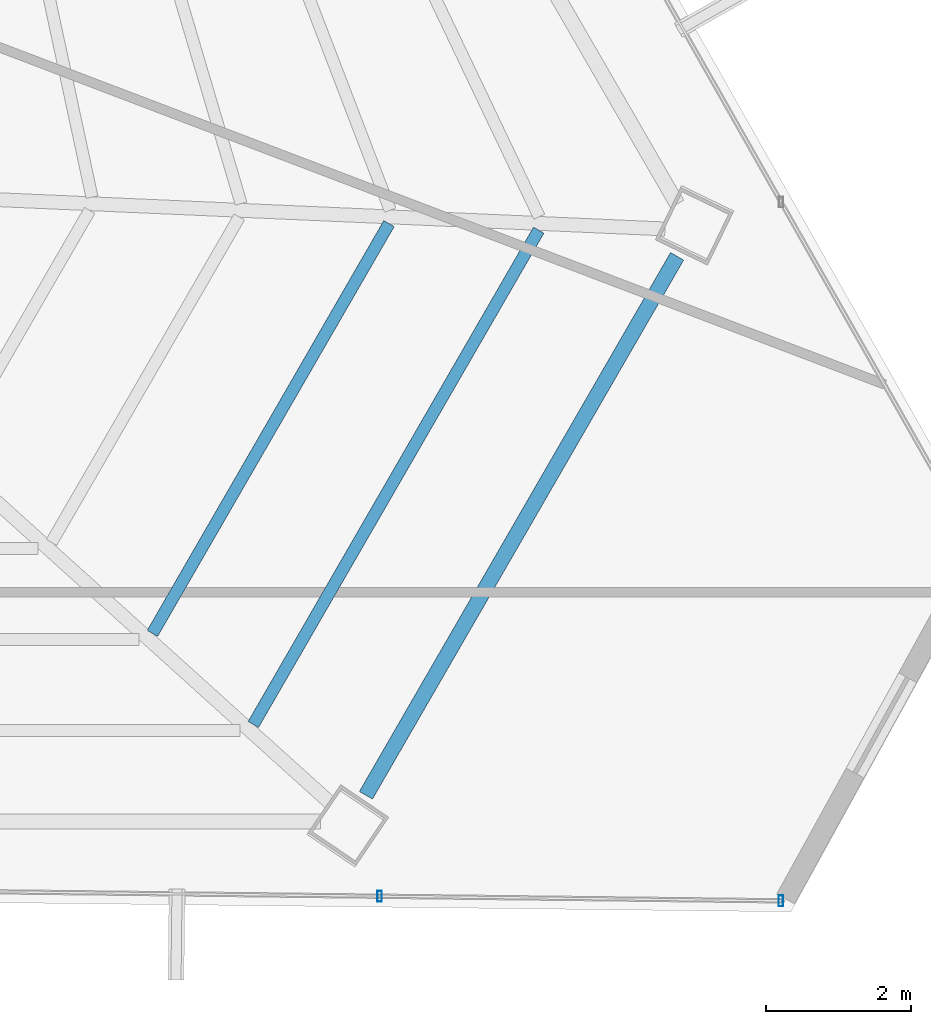
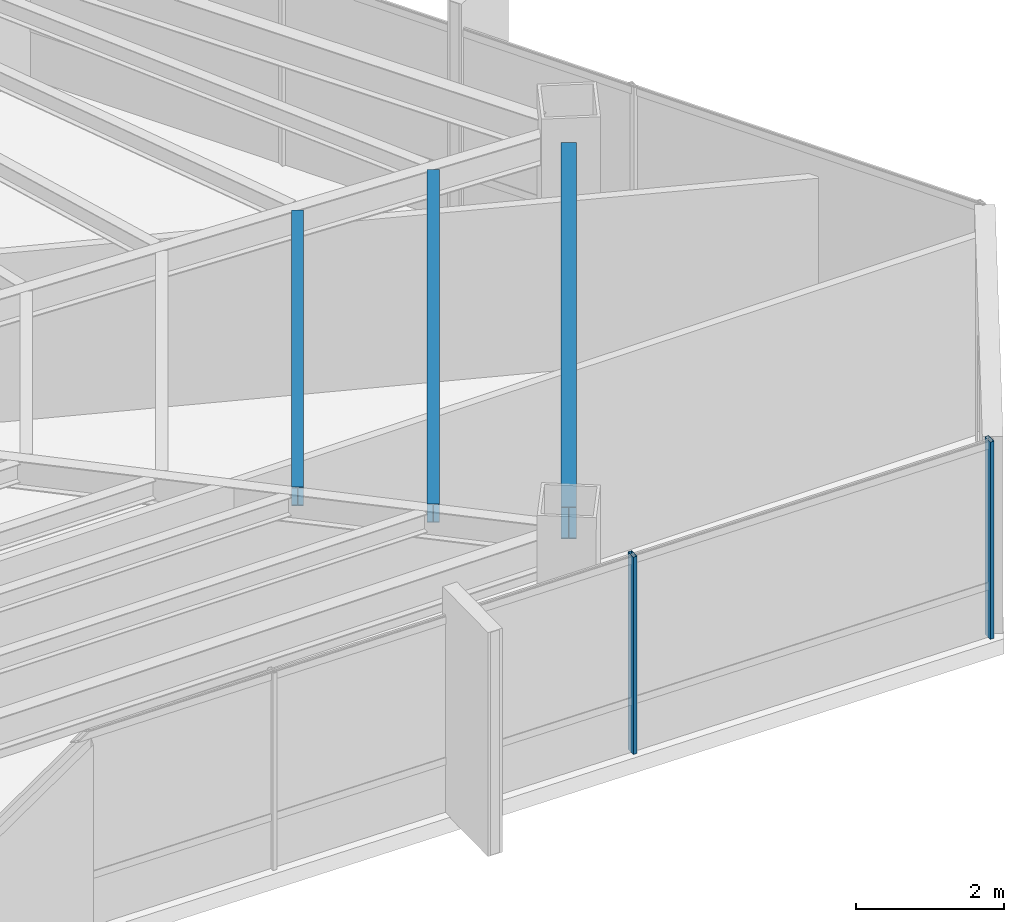
# One storey, part 20 of 40: 3 beams, 2 members, 1 element without a shape of its own.
"""IFC4 building model written with IfcOpenShell, lengths in metres."""

from ifc_helpers import new_model, si_unit, direction, frame, origin, origin_2d, place, context, subcontext, project, spatial, hollow_rectangle, i_section, extrude, source, transform, mapped, material, material_profile, profile_set, type_object, type_shapes, element, aggregate, save


model = new_model("IFC4")

# Units and contexts
model_context = context("Model", 3, precision=1e-05, world=origin(), true_north=direction((0.0, 1.0)))
body_context = subcontext(model_context, "Body", "Model", "MODEL_VIEW")
ifc_project = project(units=[si_unit("LENGTHUNIT", "METRE"), si_unit("AREAUNIT", "SQUARE_METRE"), si_unit("VOLUMEUNIT", "CUBIC_METRE"), si_unit("PLANEANGLEUNIT", "RADIAN"), si_unit("MASSUNIT", "GRAM", prefix="KILO")], contexts=[model_context])

# Site, building, storey
site_placement = place(None, origin())
site = spatial("IfcSite", under=ifc_project, at=site_placement, CompositionType="ELEMENT")
building_placement = place(site_placement, origin())
building = spatial("IfcBuilding", under=site, at=building_placement, Name="Caelisora Broadcast Tower", CompositionType="ELEMENT")
storey_placement = place(building_placement, frame((0.0, 0.0, 216.89990234375)))
storey = spatial("IfcBuildingStorey", under=building, at=storey_placement, Name="L57", CompositionType="ELEMENT", Elevation=216.89990234375)

# Beams
ifc_material_1 = material(Name="Steel Grade 350 (AS/NZS 3679.1)", Category="steel")
ifc_material_profile_1 = material_profile(ifc_material_1, i_section(OverallWidth=0.208984375, OverallDepth=0.532958984375, WebThickness=0.01025390625, FlangeThickness=0.015625, at=origin_2d()), Name="Steel Grade 350 (AS/NZS 3679.1)")
ifc_profile_set_1 = profile_set([ifc_material_profile_1], Name="Steel Grade 350 (AS/NZS 3679.1)")
beam_type_1 = type_object("IfcBeamType", Name="PG05", PredefinedType="BEAM", material=ifc_profile_set_1)
shared_shape_1 = source(origin(), body_context, "Body", "SweptSolid", [
    extrude(i_section(OverallWidth=0.208984375, OverallDepth=0.532958984375, WebThickness=0.01025390625, FlangeThickness=0.015625, at=origin_2d()), origin(), (0.0, 0.0, 1.0), 8.572509765625),
])
type_shapes(beam_type_1, [shared_shape_1])
beam_1_placement = place(storey_placement, frame((55.43896484375, 8.982177734375, 2.983642578125), z_axis=(0.500007596729, 0.866021017767, 0.0), x_axis=(-0.866021017767, 0.500007596729, 0.0)))
element("IfcBeam", 1, at=beam_1_placement, inside=storey, type_object=beam_type_1, Name="L57 beam PG05", PredefinedType="BEAM", context=body_context, shape_type="MappedRepresentation", body=[
    mapped(shared_shape_1, transform((0.0, 0.0, 0.0), scale=1.0)),
])
ifc_material_profile_2 = material_profile(ifc_material_1, i_section(OverallWidth=0.166015625, OverallDepth=0.30712890625, WebThickness=0.006591796875, FlangeThickness=0.01171875, at=origin_2d()), Name="Steel Grade 350 (AS/NZS 3679.1)")
ifc_profile_set_2 = profile_set([ifc_material_profile_2], Name="Steel Grade 350 (AS/NZS 3679.1)")
beam_type_2 = type_object("IfcBeamType", Name="SB03", PredefinedType="JOIST", material=ifc_profile_set_2)
shared_shape_2 = source(origin(), body_context, "Body", "SweptSolid", [
    extrude(i_section(OverallWidth=0.166015625, OverallDepth=0.30712890625, WebThickness=0.006591796875, FlangeThickness=0.01171875, at=origin_2d()), origin(), (0.0, 0.0, 1.0), 6.518310546875),
])
beam_2_placement = place(storey_placement, frame((52.498046875, 11.2119140625, 3.096435546875), z_axis=(0.499986153097, 0.86603339815, 0.0), x_axis=(-0.86603339815, 0.499986153097, 0.0)))
element("IfcBeam", 2, at=beam_2_placement, inside=storey, type_object=beam_type_2, Name="L57 beam SB03", PredefinedType="JOIST", context=body_context, shape_type="MappedRepresentation", body=[
    mapped(shared_shape_2, transform((0.0, 0.0, 0.0), scale=1.0)),
])
shared_shape_3 = source(origin(), body_context, "Body", "SweptSolid", [
    extrude(i_section(OverallWidth=0.166015625, OverallDepth=0.30712890625, WebThickness=0.006591796875, FlangeThickness=0.01171875, at=origin_2d()), origin(), (0.0, 0.0, 1.0), 7.86181640625),
])
type_shapes(beam_type_2, [shared_shape_2, shared_shape_3])
beam_3_placement = place(storey_placement, frame((53.88818359375, 9.957763671875, 3.096435546875), z_axis=(0.499996639036, 0.866027344229, 0.0), x_axis=(-0.866027344229, 0.499996639036, 0.0)))
element("IfcBeam", 3, at=beam_3_placement, inside=storey, type_object=beam_type_2, Name="L57 beam SB03", PredefinedType="JOIST", context=body_context, shape_type="MappedRepresentation", body=[
    mapped(shared_shape_3, transform((0.0, 0.0, 0.0), scale=1.0)),
])

# Curtain wall, members
ifc_material_2 = material(Name="Unitised Aluminium and Low-E Glass Curtain Wall", Category="glass")
curtain_wall_type = type_object("IfcCurtainWallType", Name="CW-Z4", PredefinedType="NOTDEFINED", material=ifc_material_2)
curtain_wall_placement = place(storey_placement, origin())
curtain_wall = element("IfcCurtainWall", 4, at=curtain_wall_placement, inside=storey, type_object=curtain_wall_type, Name="L57 curtain wall CW-Z4", PredefinedType="NOTDEFINED")
ifc_material_3 = material(Name="Aluminium 6063-T6 Anodised Terracotta Bronze", Category="aluminium")
ifc_material_profile_3 = material_profile(ifc_material_3, hollow_rectangle(XDim=0.06005859375, YDim=0.14990234375, WallThickness=0.00341796875, at=origin_2d()), Name="Aluminium 6063-T6 Anodised Terracotta Bronze")
ifc_profile_set_3 = profile_set([ifc_material_profile_3], Name="Aluminium 6063-T6 Anodised Terracotta Bronze")
member_type = type_object("IfcMemberType", Name="CWM-03", PredefinedType="MULLION", material=ifc_profile_set_3)
shared_shape_4 = source(origin(), body_context, "Body", "SweptSolid", [
    extrude(hollow_rectangle(XDim=0.06005859375, YDim=0.14990234375, WallThickness=0.00341796875, at=origin_2d()), origin(), (0.0, 0.0, 1.0), 3.25),
])
type_shapes(member_type, [shared_shape_4])
member_1_placement = place(storey_placement, frame((61.155029296875, 7.528564453125, 0.0), z_axis=(0.0, 0.0, 1.0), x_axis=(1.0, 0.0, 0.0)))
member_1 = element("IfcMember", 5, at=member_1_placement, type_object=member_type, Name="L57-CW-B05 mullion #0", PredefinedType="MULLION", context=body_context, shape_type="MappedRepresentation", body=[
    mapped(shared_shape_4, transform((0.0, 0.0, 0.0), scale=1.0)),
])
member_2_placement = place(storey_placement, frame((55.627685546875, 7.59228515625, 0.0), z_axis=(0.0, 0.0, 1.0), x_axis=(1.0, 0.0, 0.0)))
member_2 = element("IfcMember", 6, at=member_2_placement, type_object=member_type, Name="L57-CW-B05 mullion #1", PredefinedType="MULLION", context=body_context, shape_type="MappedRepresentation", body=[
    mapped(shared_shape_4, transform((0.0, 0.0, 0.0), scale=1.0)),
])
aggregate(curtain_wall, [member_1, member_2])

save(model, "model.ifc")
